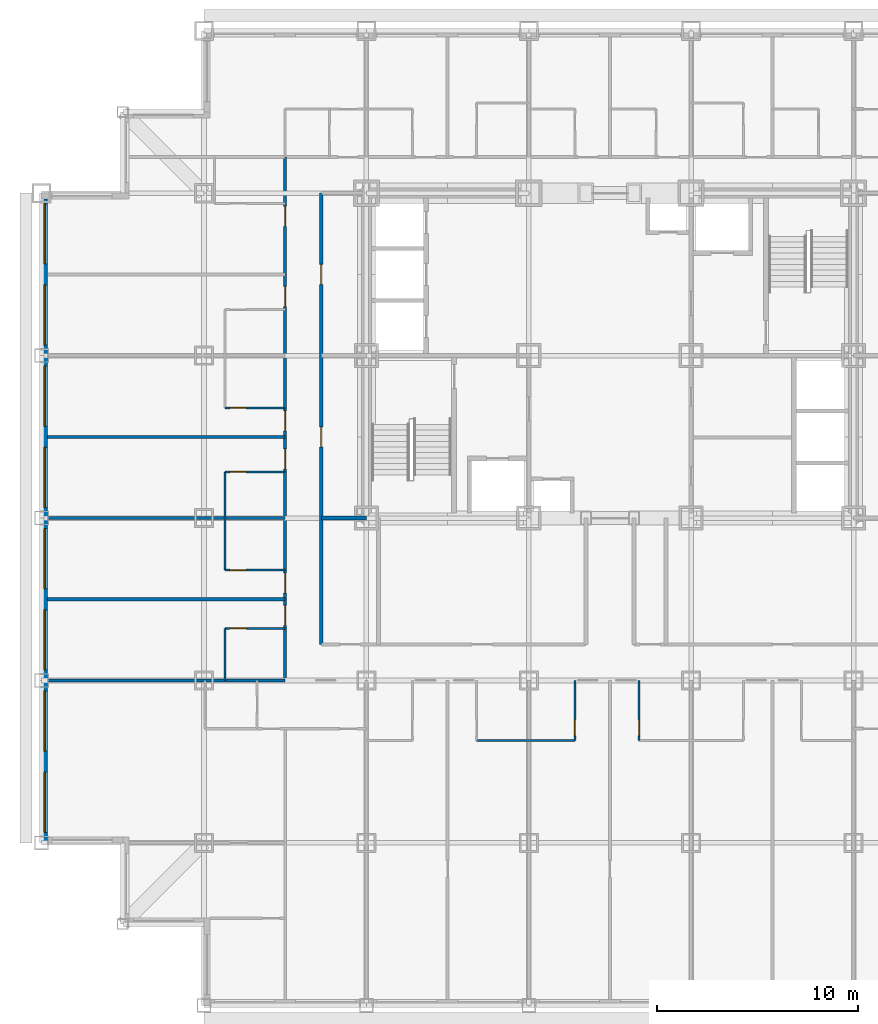
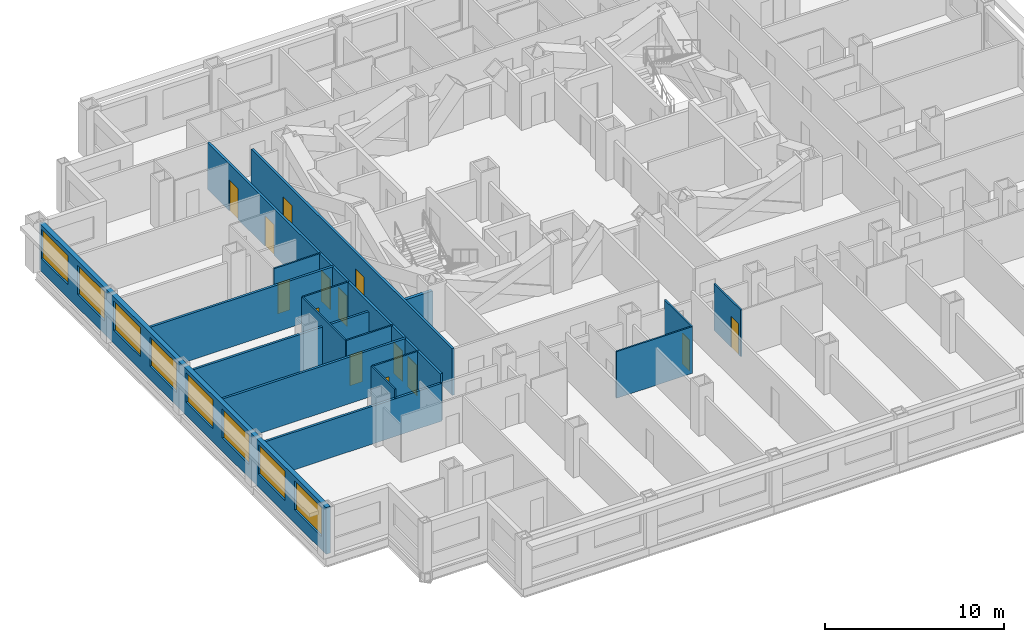
# One storey, part 4 of 11: 17 walls, 14 doors, 8 windows, 22 openings.
"""IFC4 building model written with IfcOpenShell, lengths in metres."""

from ifc_helpers import new_model, si_unit, direction, frame, frame_2d, origin, place, context, subcontext, project, spatial, rectangle, extrude, material, layer, layer_set, type_object, element, fill, save


model = new_model("IFC4")

# Units and contexts
model_context = context("Model", 3, precision=1e-05, world=origin(), true_north=direction((0.0, 1.0)))
body_context = subcontext(model_context, "Body", "Model", "MODEL_VIEW")
ifc_project = project(units=[si_unit("LENGTHUNIT", "METRE"), si_unit("AREAUNIT", "SQUARE_METRE"), si_unit("VOLUMEUNIT", "CUBIC_METRE"), si_unit("PLANEANGLEUNIT", "RADIAN"), si_unit("MASSUNIT", "GRAM", prefix="KILO")], contexts=[model_context])

# Site, building, storey
site_placement = place(None, origin())
site = spatial("IfcSite", under=ifc_project, at=site_placement, CompositionType="ELEMENT")
building_placement = place(site_placement, origin())
building = spatial("IfcBuilding", under=site, at=building_placement, Name="Kopane Lantern Tower", CompositionType="ELEMENT")
storey_placement = place(building_placement, frame((0.0, 0.0, 33.0)))
storey = spatial("IfcBuildingStorey", under=building, at=storey_placement, Name="L06", CompositionType="ELEMENT", Elevation=33.0)

# Wall
ifc_material_1 = material(Name="Moisture-resistant board on steel studs", Category="steel")
ifc_layer_1 = layer(ifc_material_1, 0.10009765625)
ifc_layer_set_1 = layer_set([ifc_layer_1], Name="BATHROOM WALL 100")
wall_type_1 = type_object("IfcWallType", Name="BATHROOM WALL 100", PredefinedType="PARTITIONING", material=ifc_layer_set_1)
wall_1_placement = place(storey_placement, frame((21.699951171875, 13.199951171875, 0.0), z_axis=(0.0, 0.0, 1.0), x_axis=(1.0, 0.0, 0.0)))
element("IfcWall", 1, at=wall_1_placement, inside=storey, type_object=wall_type_1, Name="Bathroom Wall 100 L06", PredefinedType="PARTITIONING", context=body_context, shape_type="SweptSolid", body=[
    extrude(rectangle(XDim=4.900146484375, YDim=0.10009765625, at=frame_2d((2.4501953125, 0.0))), origin(), (0.0, 0.0, 1.0), 3.18994140625),
])

# Wall, opening, door
wall_2_placement = place(storey_placement, frame((26.60009765625, 16.199951171875, 0.0), z_axis=(0.0, 0.0, 1.0), x_axis=(0.0, -1.0, 0.0)))
wall_2 = element("IfcWall", 2, at=wall_2_placement, inside=storey, type_object=wall_type_1, Name="Bathroom Wall 100 L06", PredefinedType="PARTITIONING", context=body_context, shape_type="SweptSolid", body=[
    extrude(rectangle(XDim=3.0, YDim=0.10009765625, at=frame_2d((1.5, 0.0))), origin(), (0.0, 0.0, 1.0), 3.18994140625),
])
opening_1_placement = place(wall_2_placement, frame((1.949951171875, 0.0, 0.0)))
opening_1 = element("IfcOpeningElement", 3, at=opening_1_placement, cuts=wall_2, Name="Opening L06-014", PredefinedType="OPENING", context=body_context, shape_type="SweptSolid", body=[
    extrude(rectangle(XDim=0.800048828125, YDim=2.10009765625, at=frame_2d((0.39990234375, 1.050048828125))), frame((0.0, 0.06005859375, 0.0), z_axis=(0.0, -1.0, 0.0), x_axis=(1.0, 0.0, 0.0)), (0.0, 0.0, 1.0), 0.1201171875),
])
ifc_material_2 = material(Name="Timber door set", Category="wood")
door_type_1 = type_object("IfcDoorType", Name="DOOR D2 800x2100", OperationType="SINGLE_SWING_LEFT", PredefinedType="DOOR", material=ifc_material_2)
door_1_placement = place(opening_1_placement, origin())
door_1 = element("IfcDoor", 4, at=door_1_placement, inside=storey, type_object=door_type_1, Name="Door L06-014", OperationType="SINGLE_SWING_LEFT", OverallHeight=2.10009765625, OverallWidth=0.800048828125, PredefinedType="DOOR", context=body_context, shape_type="SweptSolid", body=[
    extrude(rectangle(XDim=0.800048828125, YDim=2.10009765625, at=frame_2d((0.39990234375, 1.050048828125))), frame((0.0, 0.02490234375, 0.0), z_axis=(0.0, -1.0, 0.0), x_axis=(1.0, 0.0, 0.0)), (0.0, 0.0, 1.0), 0.050048828125),
])
fill(opening_1, door_1)

wall_3_placement = place(storey_placement, frame((29.800048828125, 16.199951171875, 0.0), z_axis=(0.0, 0.0, 1.0), x_axis=(0.0, -1.0, 0.0)))
wall_3 = element("IfcWall", 5, at=wall_3_placement, inside=storey, type_object=wall_type_1, Name="Bathroom Wall 100 L06", PredefinedType="PARTITIONING", context=body_context, shape_type="SweptSolid", body=[
    extrude(rectangle(XDim=3.0, YDim=0.10009765625, at=frame_2d((1.5, 0.0))), origin(), (0.0, 0.0, 1.0), 3.18994140625),
])
opening_2_placement = place(wall_3_placement, frame((1.949951171875, 0.0, 0.0)))
opening_2 = element("IfcOpeningElement", 6, at=opening_2_placement, cuts=wall_3, Name="Opening L06-016", PredefinedType="OPENING", context=body_context, shape_type="SweptSolid", body=[
    extrude(rectangle(XDim=0.800048828125, YDim=2.10009765625, at=frame_2d((0.39990234375, 1.050048828125))), frame((0.0, 0.06005859375, 0.0), z_axis=(0.0, -1.0, 0.0), x_axis=(1.0, 0.0, 0.0)), (0.0, 0.0, 1.0), 0.1201171875),
])
door_2_placement = place(opening_2_placement, origin())
door_2 = element("IfcDoor", 7, at=door_2_placement, inside=storey, type_object=door_type_1, Name="Door L06-016", OperationType="SINGLE_SWING_RIGHT", OverallHeight=2.10009765625, OverallWidth=0.800048828125, PredefinedType="DOOR", context=body_context, shape_type="SweptSolid", body=[
    extrude(rectangle(XDim=0.800048828125, YDim=2.10009765625, at=frame_2d((0.39990234375, 1.050048828125))), frame((0.0, 0.02490234375, 0.0), z_axis=(0.0, -1.0, 0.0), x_axis=(1.0, 0.0, 0.0)), (0.0, 0.0, 1.0), 0.050048828125),
])
fill(opening_2, door_2)

# Wall
wall_4_placement = place(storey_placement, frame((9.14990234375, 16.199951171875, 0.0), z_axis=(0.0, 0.0, 1.0), x_axis=(0.0, 1.0, 0.0)))
element("IfcWall", 8, at=wall_4_placement, inside=storey, type_object=wall_type_1, Name="Bathroom Wall 100 L06", PredefinedType="PARTITIONING", context=body_context, shape_type="SweptSolid", body=[
    extrude(rectangle(XDim=2.60009765625, YDim=0.10009765625, at=frame_2d((1.300048828125, 0.0))), origin(), (0.0, 0.0, 1.0), 3.18994140625),
])

# Wall, opening, door
wall_5_placement = place(storey_placement, frame((12.14990234375, 18.800048828125, 0.0), z_axis=(0.0, 0.0, 1.0), x_axis=(-1.0, 0.0, 0.0)))
wall_5 = element("IfcWall", 9, at=wall_5_placement, inside=storey, type_object=wall_type_1, Name="Bathroom Wall 100 L06", PredefinedType="PARTITIONING", context=body_context, shape_type="SweptSolid", body=[
    extrude(rectangle(XDim=3.0, YDim=0.10009765625, at=frame_2d((1.5, 0.0))), origin(), (0.0, 0.0, 1.0), 3.18994140625),
])
opening_3_placement = place(wall_5_placement, frame((1.925048828125, 0.0, 0.0)))
opening_3 = element("IfcOpeningElement", 10, at=opening_3_placement, cuts=wall_5, Name="Opening L06-035", PredefinedType="OPENING", context=body_context, shape_type="SweptSolid", body=[
    extrude(rectangle(XDim=0.85009765625, YDim=2.10009765625, at=frame_2d((0.425048828125, 1.050048828125))), frame((0.0, 0.06005859375, 0.0), z_axis=(0.0, -1.0, 0.0), x_axis=(1.0, 0.0, 0.0)), (0.0, 0.0, 1.0), 0.1201171875),
])
ifc_material_3 = material(Name="Timber door set", Category="wood")
door_type_2 = type_object("IfcDoorType", Name="DOOR D4 850x2100", OperationType="SINGLE_SWING_LEFT", PredefinedType="DOOR", material=ifc_material_3)
door_3_placement = place(opening_3_placement, origin())
door_3 = element("IfcDoor", 11, at=door_3_placement, inside=storey, type_object=door_type_2, Name="Door L06-035", OperationType="SINGLE_SWING_RIGHT", OverallHeight=2.10009765625, OverallWidth=0.85009765625, PredefinedType="DOOR", context=body_context, shape_type="SweptSolid", body=[
    extrude(rectangle(XDim=0.85009765625, YDim=2.10009765625, at=frame_2d((0.425048828125, 1.050048828125))), frame((0.0, 0.02490234375, 0.0), z_axis=(0.0, -1.0, 0.0), x_axis=(1.0, 0.0, 0.0)), (0.0, 0.0, 1.0), 0.050048828125),
])
fill(opening_3, door_3)

# Wall
wall_6_placement = place(storey_placement, frame((9.14990234375, 21.699951171875, 0.0), z_axis=(0.0, 0.0, 1.0), x_axis=(0.0, 1.0, 0.0)))
element("IfcWall", 12, at=wall_6_placement, inside=storey, type_object=wall_type_1, Name="Bathroom Wall 100 L06", PredefinedType="PARTITIONING", context=body_context, shape_type="SweptSolid", body=[
    extrude(rectangle(XDim=4.900146484375, YDim=0.10009765625, at=frame_2d((2.4501953125, 0.0))), origin(), (0.0, 0.0, 1.0), 3.18994140625),
])

# Wall, opening, door
wall_7_placement = place(storey_placement, frame((12.14990234375, 21.699951171875, 0.0), z_axis=(0.0, 0.0, 1.0), x_axis=(-1.0, 0.0, 0.0)))
wall_7 = element("IfcWall", 13, at=wall_7_placement, inside=storey, type_object=wall_type_1, Name="Bathroom Wall 100 L06", PredefinedType="PARTITIONING", context=body_context, shape_type="SweptSolid", body=[
    extrude(rectangle(XDim=3.0, YDim=0.10009765625, at=frame_2d((1.5, 0.0))), origin(), (0.0, 0.0, 1.0), 3.18994140625),
])
opening_4_placement = place(wall_7_placement, frame((1.949951171875, 0.0, 0.0)))
opening_4 = element("IfcOpeningElement", 14, at=opening_4_placement, cuts=wall_7, Name="Opening L06-037", PredefinedType="OPENING", context=body_context, shape_type="SweptSolid", body=[
    extrude(rectangle(XDim=0.800048828125, YDim=2.10009765625, at=frame_2d((0.39990234375, 1.050048828125))), frame((0.0, 0.06005859375, 0.0), z_axis=(0.0, -1.0, 0.0), x_axis=(1.0, 0.0, 0.0)), (0.0, 0.0, 1.0), 0.1201171875),
])
door_4_placement = place(opening_4_placement, origin())
door_4 = element("IfcDoor", 15, at=door_4_placement, inside=storey, type_object=door_type_1, Name="Door L06-037", OperationType="SINGLE_SWING_LEFT", OverallHeight=2.10009765625, OverallWidth=0.800048828125, PredefinedType="DOOR", context=body_context, shape_type="SweptSolid", body=[
    extrude(rectangle(XDim=0.800048828125, YDim=2.10009765625, at=frame_2d((0.39990234375, 1.050048828125))), frame((0.0, 0.02490234375, 0.0), z_axis=(0.0, -1.0, 0.0), x_axis=(1.0, 0.0, 0.0)), (0.0, 0.0, 1.0), 0.050048828125),
])
fill(opening_4, door_4)

wall_8_placement = place(storey_placement, frame((12.14990234375, 26.60009765625, 0.0), z_axis=(0.0, 0.0, 1.0), x_axis=(-1.0, 0.0, 0.0)))
wall_8 = element("IfcWall", 16, at=wall_8_placement, inside=storey, type_object=wall_type_1, Name="Bathroom Wall 100 L06", PredefinedType="PARTITIONING", context=body_context, shape_type="SweptSolid", body=[
    extrude(rectangle(XDim=3.0, YDim=0.10009765625, at=frame_2d((1.5, 0.0))), origin(), (0.0, 0.0, 1.0), 3.18994140625),
])
opening_5_placement = place(wall_8_placement, frame((1.949951171875, 0.0, 0.0)))
opening_5 = element("IfcOpeningElement", 17, at=opening_5_placement, cuts=wall_8, Name="Opening L06-039", PredefinedType="OPENING", context=body_context, shape_type="SweptSolid", body=[
    extrude(rectangle(XDim=0.800048828125, YDim=2.10009765625, at=frame_2d((0.39990234375, 1.050048828125))), frame((0.0, 0.06005859375, 0.0), z_axis=(0.0, -1.0, 0.0), x_axis=(1.0, 0.0, 0.0)), (0.0, 0.0, 1.0), 0.1201171875),
])
door_5_placement = place(opening_5_placement, origin())
door_5 = element("IfcDoor", 18, at=door_5_placement, inside=storey, type_object=door_type_1, Name="Door L06-039", OperationType="SINGLE_SWING_RIGHT", OverallHeight=2.10009765625, OverallWidth=0.800048828125, PredefinedType="DOOR", context=body_context, shape_type="SweptSolid", body=[
    extrude(rectangle(XDim=0.800048828125, YDim=2.10009765625, at=frame_2d((0.39990234375, 1.050048828125))), frame((0.0, 0.02490234375, 0.0), z_axis=(0.0, -1.0, 0.0), x_axis=(1.0, 0.0, 0.0)), (0.0, 0.0, 1.0), 0.050048828125),
])
fill(opening_5, door_5)

wall_9_placement = place(storey_placement, frame((12.14990234375, 29.800048828125, 0.0), z_axis=(0.0, 0.0, 1.0), x_axis=(-1.0, 0.0, 0.0)))
wall_9 = element("IfcWall", 19, at=wall_9_placement, inside=storey, type_object=wall_type_1, Name="Bathroom Wall 100 L06", PredefinedType="PARTITIONING", context=body_context, shape_type="SweptSolid", body=[
    extrude(rectangle(XDim=3.0, YDim=0.10009765625, at=frame_2d((1.5, 0.0))), origin(), (0.0, 0.0, 1.0), 3.18994140625),
])
opening_6_placement = place(wall_9_placement, frame((1.949951171875, 0.0, 0.0)))
opening_6 = element("IfcOpeningElement", 20, at=opening_6_placement, cuts=wall_9, Name="Opening L06-041", PredefinedType="OPENING", context=body_context, shape_type="SweptSolid", body=[
    extrude(rectangle(XDim=0.800048828125, YDim=2.10009765625, at=frame_2d((0.39990234375, 1.050048828125))), frame((0.0, 0.06005859375, 0.0), z_axis=(0.0, -1.0, 0.0), x_axis=(1.0, 0.0, 0.0)), (0.0, 0.0, 1.0), 0.1201171875),
])
door_6_placement = place(opening_6_placement, origin())
door_6 = element("IfcDoor", 21, at=door_6_placement, inside=storey, type_object=door_type_1, Name="Door L06-041", OperationType="SINGLE_SWING_LEFT", OverallHeight=2.10009765625, OverallWidth=0.800048828125, PredefinedType="DOOR", context=body_context, shape_type="SweptSolid", body=[
    extrude(rectangle(XDim=0.800048828125, YDim=2.10009765625, at=frame_2d((0.39990234375, 1.050048828125))), frame((0.0, 0.02490234375, 0.0), z_axis=(0.0, -1.0, 0.0), x_axis=(1.0, 0.0, 0.0)), (0.0, 0.0, 1.0), 0.050048828125),
])
fill(opening_6, door_6)

# Wall, openings, doors
ifc_material_4 = material(Name="Gypsum board on steel studs", Category="steel")
ifc_layer_2 = layer(ifc_material_4, 0.14990234375)
ifc_layer_set_2 = layer_set([ifc_layer_2], Name="CORRIDOR WALL 150 EI 60")
wall_type_2 = type_object("IfcWallType", Name="CORRIDOR WALL 150 EI 60", PredefinedType="PARTITIONING", material=ifc_layer_set_2)
wall_10_placement = place(storey_placement, frame((12.14990234375, 16.199951171875, 0.0), z_axis=(0.0, 0.0, 1.0), x_axis=(0.0, 1.0, 0.0)))
wall_10 = element("IfcWall", 22, at=wall_10_placement, inside=storey, type_object=wall_type_2, Name="Corridor Wall 150 Ei 60 L06", PredefinedType="PARTITIONING", context=body_context, shape_type="SweptSolid", body=[
    extrude(rectangle(XDim=26.10009765625, YDim=0.14990234375, at=frame_2d((13.050048828125, 0.0))), origin(), (0.0, 0.0, 1.0), 3.18994140625),
])
opening_7_placement = place(wall_10_placement, frame((2.75, 0.0, 0.0)))
opening_7 = element("IfcOpeningElement", 23, at=opening_7_placement, cuts=wall_10, Name="Opening L06-036", PredefinedType="OPENING", context=body_context, shape_type="SweptSolid", body=[
    extrude(rectangle(XDim=1.0, YDim=2.10009765625, at=frame_2d((0.5, 1.050048828125))), frame((0.0, 0.0849609375, 0.0), z_axis=(0.0, -1.0, 0.0), x_axis=(1.0, 0.0, 0.0)), (0.0, 0.0, 1.0), 0.169921875),
])
opening_8_placement = place(wall_10_placement, frame((4.35009765625, 0.0, 0.0)))
opening_8 = element("IfcOpeningElement", 24, at=opening_8_placement, cuts=wall_10, Name="Opening L06-038", PredefinedType="OPENING", context=body_context, shape_type="SweptSolid", body=[
    extrude(rectangle(XDim=1.0, YDim=2.10009765625, at=frame_2d((0.5, 1.050048828125))), frame((0.0, 0.0849609375, 0.0), z_axis=(0.0, -1.0, 0.0), x_axis=(1.0, 0.0, 0.0)), (0.0, 0.0, 1.0), 0.169921875),
])
opening_9_placement = place(wall_10_placement, frame((10.550048828125, 0.0, 0.0)))
opening_9 = element("IfcOpeningElement", 25, at=opening_9_placement, cuts=wall_10, Name="Opening L06-040", PredefinedType="OPENING", context=body_context, shape_type="SweptSolid", body=[
    extrude(rectangle(XDim=1.0, YDim=2.10009765625, at=frame_2d((0.5, 1.050048828125))), frame((0.0, 0.0849609375, 0.0), z_axis=(0.0, -1.0, 0.0), x_axis=(1.0, 0.0, 0.0)), (0.0, 0.0, 1.0), 0.169921875),
])
opening_10_placement = place(wall_10_placement, frame((12.449951171875, 0.0, 0.0)))
opening_10 = element("IfcOpeningElement", 26, at=opening_10_placement, cuts=wall_10, Name="Opening L06-042", PredefinedType="OPENING", context=body_context, shape_type="SweptSolid", body=[
    extrude(rectangle(XDim=1.0, YDim=2.10009765625, at=frame_2d((0.5, 1.050048828125))), frame((0.0, 0.0849609375, 0.0), z_axis=(0.0, -1.0, 0.0), x_axis=(1.0, 0.0, 0.0)), (0.0, 0.0, 1.0), 0.169921875),
])
opening_11_placement = place(wall_10_placement, frame((18.64990234375, 0.0, 0.0)))
opening_11 = element("IfcOpeningElement", 27, at=opening_11_placement, cuts=wall_10, Name="Opening L06-044", PredefinedType="OPENING", context=body_context, shape_type="SweptSolid", body=[
    extrude(rectangle(XDim=1.0, YDim=2.10009765625, at=frame_2d((0.5, 1.050048828125))), frame((0.0, 0.0849609375, 0.0), z_axis=(0.0, -1.0, 0.0), x_axis=(1.0, 0.0, 0.0)), (0.0, 0.0, 1.0), 0.169921875),
])
opening_12_placement = place(wall_10_placement, frame((22.64990234375, 0.0, 0.0)))
opening_12 = element("IfcOpeningElement", 28, at=opening_12_placement, cuts=wall_10, Name="Opening L06-046", PredefinedType="OPENING", context=body_context, shape_type="SweptSolid", body=[
    extrude(rectangle(XDim=1.0, YDim=2.10009765625, at=frame_2d((0.5, 1.050048828125))), frame((0.0, 0.0849609375, 0.0), z_axis=(0.0, -1.0, 0.0), x_axis=(1.0, 0.0, 0.0)), (0.0, 0.0, 1.0), 0.169921875),
])
ifc_material_5 = material(Name="Steel door set", Category="steel")
door_type_3 = type_object("IfcDoorType", Name="DOOR D1 1000x2100 FD30S", OperationType="SINGLE_SWING_LEFT", PredefinedType="DOOR", material=ifc_material_5)
door_7_placement = place(opening_7_placement, origin())
door_7 = element("IfcDoor", 29, at=door_7_placement, inside=storey, type_object=door_type_3, Name="Door L06-036", OperationType="SINGLE_SWING_LEFT", OverallHeight=2.10009765625, OverallWidth=1.0, PredefinedType="DOOR", context=body_context, shape_type="SweptSolid", body=[
    extrude(rectangle(XDim=1.0, YDim=2.10009765625, at=frame_2d((0.5, 1.050048828125))), frame((0.0, 0.02490234375, 0.0), z_axis=(0.0, -1.0, 0.0), x_axis=(1.0, 0.0, 0.0)), (0.0, 0.0, 1.0), 0.050048828125),
])
fill(opening_7, door_7)
door_8_placement = place(opening_8_placement, origin())
door_8 = element("IfcDoor", 30, at=door_8_placement, inside=storey, type_object=door_type_3, Name="Door L06-038", OperationType="SINGLE_SWING_RIGHT", OverallHeight=2.10009765625, OverallWidth=1.0, PredefinedType="DOOR", context=body_context, shape_type="SweptSolid", body=[
    extrude(rectangle(XDim=1.0, YDim=2.10009765625, at=frame_2d((0.5, 1.050048828125))), frame((0.0, 0.02490234375, 0.0), z_axis=(0.0, -1.0, 0.0), x_axis=(1.0, 0.0, 0.0)), (0.0, 0.0, 1.0), 0.050048828125),
])
fill(opening_8, door_8)
door_9_placement = place(opening_9_placement, origin())
door_9 = element("IfcDoor", 31, at=door_9_placement, inside=storey, type_object=door_type_3, Name="Door L06-040", OperationType="SINGLE_SWING_LEFT", OverallHeight=2.10009765625, OverallWidth=1.0, PredefinedType="DOOR", context=body_context, shape_type="SweptSolid", body=[
    extrude(rectangle(XDim=1.0, YDim=2.10009765625, at=frame_2d((0.5, 1.050048828125))), frame((0.0, 0.02490234375, 0.0), z_axis=(0.0, -1.0, 0.0), x_axis=(1.0, 0.0, 0.0)), (0.0, 0.0, 1.0), 0.050048828125),
])
fill(opening_9, door_9)
door_10_placement = place(opening_10_placement, origin())
door_10 = element("IfcDoor", 32, at=door_10_placement, inside=storey, type_object=door_type_3, Name="Door L06-042", OperationType="SINGLE_SWING_RIGHT", OverallHeight=2.10009765625, OverallWidth=1.0, PredefinedType="DOOR", context=body_context, shape_type="SweptSolid", body=[
    extrude(rectangle(XDim=1.0, YDim=2.10009765625, at=frame_2d((0.5, 1.050048828125))), frame((0.0, 0.02490234375, 0.0), z_axis=(0.0, -1.0, 0.0), x_axis=(1.0, 0.0, 0.0)), (0.0, 0.0, 1.0), 0.050048828125),
])
fill(opening_10, door_10)
door_11_placement = place(opening_11_placement, origin())
door_11 = element("IfcDoor", 33, at=door_11_placement, inside=storey, type_object=door_type_3, Name="Door L06-044", OperationType="SINGLE_SWING_LEFT", OverallHeight=2.10009765625, OverallWidth=1.0, PredefinedType="DOOR", context=body_context, shape_type="SweptSolid", body=[
    extrude(rectangle(XDim=1.0, YDim=2.10009765625, at=frame_2d((0.5, 1.050048828125))), frame((0.0, 0.02490234375, 0.0), z_axis=(0.0, -1.0, 0.0), x_axis=(1.0, 0.0, 0.0)), (0.0, 0.0, 1.0), 0.050048828125),
])
fill(opening_11, door_11)
door_12_placement = place(opening_12_placement, origin())
door_12 = element("IfcDoor", 34, at=door_12_placement, inside=storey, type_object=door_type_3, Name="Door L06-046", OperationType="SINGLE_SWING_RIGHT", OverallHeight=2.10009765625, OverallWidth=1.0, PredefinedType="DOOR", context=body_context, shape_type="SweptSolid", body=[
    extrude(rectangle(XDim=1.0, YDim=2.10009765625, at=frame_2d((0.5, 1.050048828125))), frame((0.0, 0.02490234375, 0.0), z_axis=(0.0, -1.0, 0.0), x_axis=(1.0, 0.0, 0.0)), (0.0, 0.0, 1.0), 0.050048828125),
])
fill(opening_12, door_12)

wall_11_placement = place(storey_placement, frame((13.949951171875, 40.5, 0.0), z_axis=(0.0, 0.0, 1.0), x_axis=(0.0, -1.0, 0.0)))
wall_11 = element("IfcWall", 35, at=wall_11_placement, inside=storey, type_object=wall_type_2, Name="Corridor Wall 150 Ei 60 L06", PredefinedType="PARTITIONING", context=body_context, shape_type="SweptSolid", body=[
    extrude(rectangle(XDim=22.5, YDim=0.14990234375, at=frame_2d((11.25, 0.0))), origin(), (0.0, 0.0, 1.0), 3.18994140625),
])
opening_13_placement = place(wall_11_placement, frame((11.64990234375, 0.0, 0.0)))
opening_13 = element("IfcOpeningElement", 36, at=opening_13_placement, cuts=wall_11, Name="Opening L06-001", PredefinedType="OPENING", context=body_context, shape_type="SweptSolid", body=[
    extrude(rectangle(XDim=1.0, YDim=2.10009765625, at=frame_2d((0.5, 1.050048828125))), frame((0.0, 0.0849609375, 0.0), z_axis=(0.0, -1.0, 0.0), x_axis=(1.0, 0.0, 0.0)), (0.0, 0.0, 1.0), 0.169921875),
])
opening_14_placement = place(wall_11_placement, frame((3.550048828125, 0.0, 0.0)))
opening_14 = element("IfcOpeningElement", 37, at=opening_14_placement, cuts=wall_11, Name="Opening L06-002", PredefinedType="OPENING", context=body_context, shape_type="SweptSolid", body=[
    extrude(rectangle(XDim=1.0, YDim=2.10009765625, at=frame_2d((0.5, 1.050048828125))), frame((0.0, 0.0849609375, 0.0), z_axis=(0.0, -1.0, 0.0), x_axis=(1.0, 0.0, 0.0)), (0.0, 0.0, 1.0), 0.169921875),
])
ifc_material_6 = material(Name="Steel door set", Category="steel")
door_type_4 = type_object("IfcDoorType", Name="DOOR D5 1000x2100 FD60", OperationType="SINGLE_SWING_LEFT", PredefinedType="DOOR", material=ifc_material_6)
door_13_placement = place(opening_13_placement, origin())
door_13 = element("IfcDoor", 38, at=door_13_placement, inside=storey, type_object=door_type_4, Name="Door L06-001", OperationType="SINGLE_SWING_RIGHT", OverallHeight=2.10009765625, OverallWidth=1.0, PredefinedType="DOOR", context=body_context, shape_type="SweptSolid", body=[
    extrude(rectangle(XDim=1.0, YDim=2.10009765625, at=frame_2d((0.5, 1.050048828125))), frame((0.0, 0.02490234375, 0.0), z_axis=(0.0, -1.0, 0.0), x_axis=(1.0, 0.0, 0.0)), (0.0, 0.0, 1.0), 0.050048828125),
])
fill(opening_13, door_13)
door_14_placement = place(opening_14_placement, origin())
door_14 = element("IfcDoor", 39, at=door_14_placement, inside=storey, type_object=door_type_4, Name="Door L06-002", OperationType="SINGLE_SWING_LEFT", OverallHeight=2.10009765625, OverallWidth=1.0, PredefinedType="DOOR", context=body_context, shape_type="SweptSolid", body=[
    extrude(rectangle(XDim=1.0, YDim=2.10009765625, at=frame_2d((0.5, 1.050048828125))), frame((0.0, 0.02490234375, 0.0), z_axis=(0.0, -1.0, 0.0), x_axis=(1.0, 0.0, 0.0)), (0.0, 0.0, 1.0), 0.050048828125),
])
fill(opening_14, door_14)

# Walls
ifc_material_7 = material(Name="Gypsum board on steel studs", Category="steel")
ifc_layer_3 = layer(ifc_material_7, 0.14990234375)
ifc_layer_set_3 = layer_set([ifc_layer_3], Name="DEMISING WALL 150 EI 60")
wall_type_3 = type_object("IfcWallType", Name="DEMISING WALL 150 EI 60", PredefinedType="PARTITIONING", material=ifc_layer_set_3)
wall_12_placement = place(storey_placement, frame((12.14990234375, 20.25, 0.0), z_axis=(0.0, 0.0, 1.0), x_axis=(-1.0, 0.0, 0.0)))
element("IfcWall", 40, at=wall_12_placement, inside=storey, type_object=wall_type_3, Name="Demising Wall 150 Ei 60 L06", PredefinedType="PARTITIONING", context=body_context, shape_type="SweptSolid", body=[
    extrude(rectangle(XDim=11.849853515625, YDim=0.14990234375, at=frame_2d((5.9248046875, 0.0))), origin(), (0.0, 0.0, 1.0), 3.18994140625),
])
wall_13_placement = place(storey_placement, frame((12.14990234375, 24.300048828125, 0.0), z_axis=(0.0, 0.0, 1.0), x_axis=(-1.0, 0.0, 0.0)))
element("IfcWall", 41, at=wall_13_placement, inside=storey, type_object=wall_type_3, Name="Demising Wall 150 Ei 60 L06", PredefinedType="PARTITIONING", context=body_context, shape_type="SweptSolid", body=[
    extrude(rectangle(XDim=11.849853515625, YDim=0.14990234375, at=frame_2d((5.9248046875, 0.0))), origin(), (0.0, 0.0, 1.0), 2.577880859375),
])
wall_14_placement = place(storey_placement, frame((12.14990234375, 28.35009765625, 0.0), z_axis=(0.0, 0.0, 1.0), x_axis=(-1.0, 0.0, 0.0)))
element("IfcWall", 42, at=wall_14_placement, inside=storey, type_object=wall_type_3, Name="Demising Wall 150 Ei 60 L06", PredefinedType="PARTITIONING", context=body_context, shape_type="SweptSolid", body=[
    extrude(rectangle(XDim=11.849853515625, YDim=0.14990234375, at=frame_2d((5.9248046875, 0.0))), origin(), (0.0, 0.0, 1.0), 3.18994140625),
])
wall_15_placement = place(storey_placement, frame((0.300048828125, 16.199951171875, 0.0), z_axis=(0.0, 0.0, 1.0), x_axis=(1.0, 0.0, 0.0)))
element("IfcWall", 43, at=wall_15_placement, inside=storey, type_object=wall_type_3, Name="Demising Wall 150 Ei 60 L06", PredefinedType="PARTITIONING", context=body_context, shape_type="SweptSolid", body=[
    extrude(rectangle(XDim=11.849853515625, YDim=0.14990234375, at=frame_2d((5.9248046875, 0.0))), origin(), (0.0, 0.0, 1.0), 2.577880859375),
])

# Wall, openings, windows
ifc_material_8 = material(Name="Terracotta rainscreen on light steel framing", Category="masonry")
ifc_layer_4 = layer(ifc_material_8, 0.300048828125)
ifc_layer_set_4 = layer_set([ifc_layer_4], Name="EXTERNAL WALL EW1 300 TERRACOTTA")
wall_type_4 = type_object("IfcWallType", Name="EXTERNAL WALL EW1 300 TERRACOTTA", PredefinedType="SOLIDWALL", material=ifc_layer_set_4)
wall_16_placement = place(storey_placement, frame((0.14990234375, 40.199951171875, 0.0), z_axis=(0.0, 0.0, 1.0), x_axis=(0.0, -1.0, 0.0)))
wall_16 = element("IfcWall", 44, at=wall_16_placement, inside=storey, type_object=wall_type_4, Name="External wall W L06", PredefinedType="SOLIDWALL", context=body_context, shape_type="SweptSolid", body=[
    extrude(rectangle(XDim=32.099853515625, YDim=0.300048828125, at=frame_2d((16.0498046875, 0.0))), origin(), (0.0, 0.0, 1.0), 3.18994140625),
])
opening_15_placement = place(wall_16_placement, frame((0.22509765625, 0.0, 0.89990234375)))
opening_15 = element("IfcOpeningElement", 45, at=opening_15_placement, cuts=wall_16, Name="Opening WR300200", PredefinedType="OPENING", context=body_context, shape_type="SweptSolid", body=[
    extrude(rectangle(XDim=3.0, YDim=2.0, at=frame_2d((1.5, 1.0))), frame((0.0, 0.159912109375, 0.0), z_axis=(0.0, -1.0, 0.0), x_axis=(1.0, 0.0, 0.0)), (0.0, 0.0, 1.0), 0.320068359375),
])
opening_16_placement = place(wall_16_placement, frame((4.27490234375, 0.0, 0.89990234375)))
opening_16 = element("IfcOpeningElement", 46, at=opening_16_placement, cuts=wall_16, Name="Opening WR300200", PredefinedType="OPENING", context=body_context, shape_type="SweptSolid", body=[
    extrude(rectangle(XDim=3.0, YDim=2.0, at=frame_2d((1.5, 1.0))), frame((0.0, 0.159912109375, 0.0), z_axis=(0.0, -1.0, 0.0), x_axis=(1.0, 0.0, 0.0)), (0.0, 0.0, 1.0), 0.320068359375),
])
opening_17_placement = place(wall_16_placement, frame((8.324951171875, 0.0, 0.89990234375)))
opening_17 = element("IfcOpeningElement", 47, at=opening_17_placement, cuts=wall_16, Name="Opening WR300200", PredefinedType="OPENING", context=body_context, shape_type="SweptSolid", body=[
    extrude(rectangle(XDim=3.0, YDim=2.0, at=frame_2d((1.5, 1.0))), frame((0.0, 0.159912109375, 0.0), z_axis=(0.0, -1.0, 0.0), x_axis=(1.0, 0.0, 0.0)), (0.0, 0.0, 1.0), 0.320068359375),
])
opening_18_placement = place(wall_16_placement, frame((12.375, 0.0, 0.89990234375)))
opening_18 = element("IfcOpeningElement", 48, at=opening_18_placement, cuts=wall_16, Name="Opening WR300200", PredefinedType="OPENING", context=body_context, shape_type="SweptSolid", body=[
    extrude(rectangle(XDim=3.0, YDim=2.0, at=frame_2d((1.5, 1.0))), frame((0.0, 0.159912109375, 0.0), z_axis=(0.0, -1.0, 0.0), x_axis=(1.0, 0.0, 0.0)), (0.0, 0.0, 1.0), 0.320068359375),
])
opening_19_placement = place(wall_16_placement, frame((16.425048828125, 0.0, 0.89990234375)))
opening_19 = element("IfcOpeningElement", 49, at=opening_19_placement, cuts=wall_16, Name="Opening WR300200", PredefinedType="OPENING", context=body_context, shape_type="SweptSolid", body=[
    extrude(rectangle(XDim=3.0, YDim=2.0, at=frame_2d((1.5, 1.0))), frame((0.0, 0.159912109375, 0.0), z_axis=(0.0, -1.0, 0.0), x_axis=(1.0, 0.0, 0.0)), (0.0, 0.0, 1.0), 0.320068359375),
])
opening_20_placement = place(wall_16_placement, frame((20.47509765625, 0.0, 0.89990234375)))
opening_20 = element("IfcOpeningElement", 50, at=opening_20_placement, cuts=wall_16, Name="Opening WR300200", PredefinedType="OPENING", context=body_context, shape_type="SweptSolid", body=[
    extrude(rectangle(XDim=3.0, YDim=2.0, at=frame_2d((1.5, 1.0))), frame((0.0, 0.159912109375, 0.0), z_axis=(0.0, -1.0, 0.0), x_axis=(1.0, 0.0, 0.0)), (0.0, 0.0, 1.0), 0.320068359375),
])
opening_21_placement = place(wall_16_placement, frame((24.52490234375, 0.0, 0.89990234375)))
opening_21 = element("IfcOpeningElement", 51, at=opening_21_placement, cuts=wall_16, Name="Opening WR300200", PredefinedType="OPENING", context=body_context, shape_type="SweptSolid", body=[
    extrude(rectangle(XDim=3.0, YDim=2.0, at=frame_2d((1.5, 1.0))), frame((0.0, 0.159912109375, 0.0), z_axis=(0.0, -1.0, 0.0), x_axis=(1.0, 0.0, 0.0)), (0.0, 0.0, 1.0), 0.320068359375),
])
opening_22_placement = place(wall_16_placement, frame((28.574951171875, 0.0, 0.89990234375)))
opening_22 = element("IfcOpeningElement", 52, at=opening_22_placement, cuts=wall_16, Name="Opening WR300200", PredefinedType="OPENING", context=body_context, shape_type="SweptSolid", body=[
    extrude(rectangle(XDim=3.0, YDim=2.0, at=frame_2d((1.5, 1.0))), frame((0.0, 0.159912109375, 0.0), z_axis=(0.0, -1.0, 0.0), x_axis=(1.0, 0.0, 0.0)), (0.0, 0.0, 1.0), 0.320068359375),
])
ifc_material_9 = material(Name="Aluminium and clear glass", Category="aluminium")
window_type = type_object("IfcWindowType", Name="RIBBON WINDOW WR300200 3000x2000", PartitioningType="SINGLE_PANEL", PredefinedType="WINDOW", material=ifc_material_9)
window_1_placement = place(opening_15_placement, origin())
window_1 = element("IfcWindow", 53, at=window_1_placement, inside=storey, type_object=window_type, Name="Window W L06", OverallHeight=2.0, OverallWidth=3.0, PartitioningType="SINGLE_PANEL", PredefinedType="WINDOW", context=body_context, shape_type="SweptSolid", body=[
    extrude(rectangle(XDim=3.0, YDim=2.0, at=frame_2d((1.5, 1.0))), frame((0.0, 0.030029296875, 0.0), z_axis=(0.0, -1.0, 0.0), x_axis=(1.0, 0.0, 0.0)), (0.0, 0.0, 1.0), 0.06005859375),
])
fill(opening_15, window_1)
window_2_placement = place(opening_16_placement, origin())
window_2 = element("IfcWindow", 54, at=window_2_placement, inside=storey, type_object=window_type, Name="Window W L06", OverallHeight=2.0, OverallWidth=3.0, PartitioningType="SINGLE_PANEL", PredefinedType="WINDOW", context=body_context, shape_type="SweptSolid", body=[
    extrude(rectangle(XDim=3.0, YDim=2.0, at=frame_2d((1.5, 1.0))), frame((0.0, 0.030029296875, 0.0), z_axis=(0.0, -1.0, 0.0), x_axis=(1.0, 0.0, 0.0)), (0.0, 0.0, 1.0), 0.06005859375),
])
fill(opening_16, window_2)
window_3_placement = place(opening_17_placement, origin())
window_3 = element("IfcWindow", 55, at=window_3_placement, inside=storey, type_object=window_type, Name="Window W L06", OverallHeight=2.0, OverallWidth=3.0, PartitioningType="SINGLE_PANEL", PredefinedType="WINDOW", context=body_context, shape_type="SweptSolid", body=[
    extrude(rectangle(XDim=3.0, YDim=2.0, at=frame_2d((1.5, 1.0))), frame((0.0, 0.030029296875, 0.0), z_axis=(0.0, -1.0, 0.0), x_axis=(1.0, 0.0, 0.0)), (0.0, 0.0, 1.0), 0.06005859375),
])
fill(opening_17, window_3)
window_4_placement = place(opening_18_placement, origin())
window_4 = element("IfcWindow", 56, at=window_4_placement, inside=storey, type_object=window_type, Name="Window W L06", OverallHeight=2.0, OverallWidth=3.0, PartitioningType="SINGLE_PANEL", PredefinedType="WINDOW", context=body_context, shape_type="SweptSolid", body=[
    extrude(rectangle(XDim=3.0, YDim=2.0, at=frame_2d((1.5, 1.0))), frame((0.0, 0.030029296875, 0.0), z_axis=(0.0, -1.0, 0.0), x_axis=(1.0, 0.0, 0.0)), (0.0, 0.0, 1.0), 0.06005859375),
])
fill(opening_18, window_4)
window_5_placement = place(opening_19_placement, origin())
window_5 = element("IfcWindow", 57, at=window_5_placement, inside=storey, type_object=window_type, Name="Window W L06", OverallHeight=2.0, OverallWidth=3.0, PartitioningType="SINGLE_PANEL", PredefinedType="WINDOW", context=body_context, shape_type="SweptSolid", body=[
    extrude(rectangle(XDim=3.0, YDim=2.0, at=frame_2d((1.5, 1.0))), frame((0.0, 0.030029296875, 0.0), z_axis=(0.0, -1.0, 0.0), x_axis=(1.0, 0.0, 0.0)), (0.0, 0.0, 1.0), 0.06005859375),
])
fill(opening_19, window_5)
window_6_placement = place(opening_20_placement, origin())
window_6 = element("IfcWindow", 58, at=window_6_placement, inside=storey, type_object=window_type, Name="Window W L06", OverallHeight=2.0, OverallWidth=3.0, PartitioningType="SINGLE_PANEL", PredefinedType="WINDOW", context=body_context, shape_type="SweptSolid", body=[
    extrude(rectangle(XDim=3.0, YDim=2.0, at=frame_2d((1.5, 1.0))), frame((0.0, 0.030029296875, 0.0), z_axis=(0.0, -1.0, 0.0), x_axis=(1.0, 0.0, 0.0)), (0.0, 0.0, 1.0), 0.06005859375),
])
fill(opening_20, window_6)
window_7_placement = place(opening_21_placement, origin())
window_7 = element("IfcWindow", 59, at=window_7_placement, inside=storey, type_object=window_type, Name="Window W L06", OverallHeight=2.0, OverallWidth=3.0, PartitioningType="SINGLE_PANEL", PredefinedType="WINDOW", context=body_context, shape_type="SweptSolid", body=[
    extrude(rectangle(XDim=3.0, YDim=2.0, at=frame_2d((1.5, 1.0))), frame((0.0, 0.030029296875, 0.0), z_axis=(0.0, -1.0, 0.0), x_axis=(1.0, 0.0, 0.0)), (0.0, 0.0, 1.0), 0.06005859375),
])
fill(opening_21, window_7)
window_8_placement = place(opening_22_placement, origin())
window_8 = element("IfcWindow", 60, at=window_8_placement, inside=storey, type_object=window_type, Name="Window W L06", OverallHeight=2.0, OverallWidth=3.0, PartitioningType="SINGLE_PANEL", PredefinedType="WINDOW", context=body_context, shape_type="SweptSolid", body=[
    extrude(rectangle(XDim=3.0, YDim=2.0, at=frame_2d((1.5, 1.0))), frame((0.0, 0.030029296875, 0.0), z_axis=(0.0, -1.0, 0.0), x_axis=(1.0, 0.0, 0.0)), (0.0, 0.0, 1.0), 0.06005859375),
])
fill(opening_22, window_8)

# Wall
ifc_material_10 = material(Name="Concrete masonry", Category="masonry")
ifc_layer_5 = layer(ifc_material_10, 0.199951171875)
ifc_layer_set_5 = layer_set([ifc_layer_5], Name="PLANT ROOM WALL 200 EI 120")
wall_type_5 = type_object("IfcWallType", Name="PLANT ROOM WALL 200 EI 120", PredefinedType="SOLIDWALL", material=ifc_layer_set_5)
wall_17_placement = place(storey_placement, frame((13.949951171875, 24.300048828125, 0.0), z_axis=(0.0, 0.0, 1.0), x_axis=(1.0, 0.0, 0.0)))
element("IfcWall", 61, at=wall_17_placement, inside=storey, type_object=wall_type_5, Name="Plant Room Wall 200 Ei 120 L06", PredefinedType="SOLIDWALL", context=body_context, shape_type="SweptSolid", body=[
    extrude(rectangle(XDim=2.25, YDim=0.199951171875, at=frame_2d((1.125, 0.0))), origin(), (0.0, 0.0, 1.0), 2.577880859375),
])

save(model, "model.ifc")
